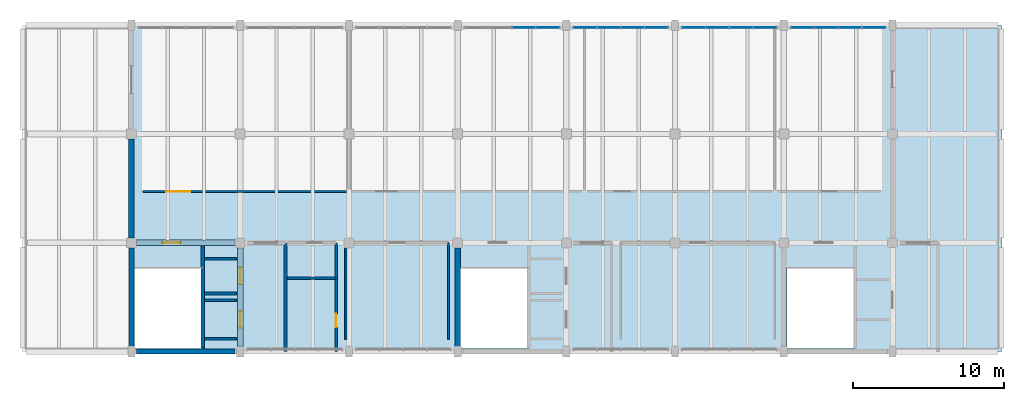
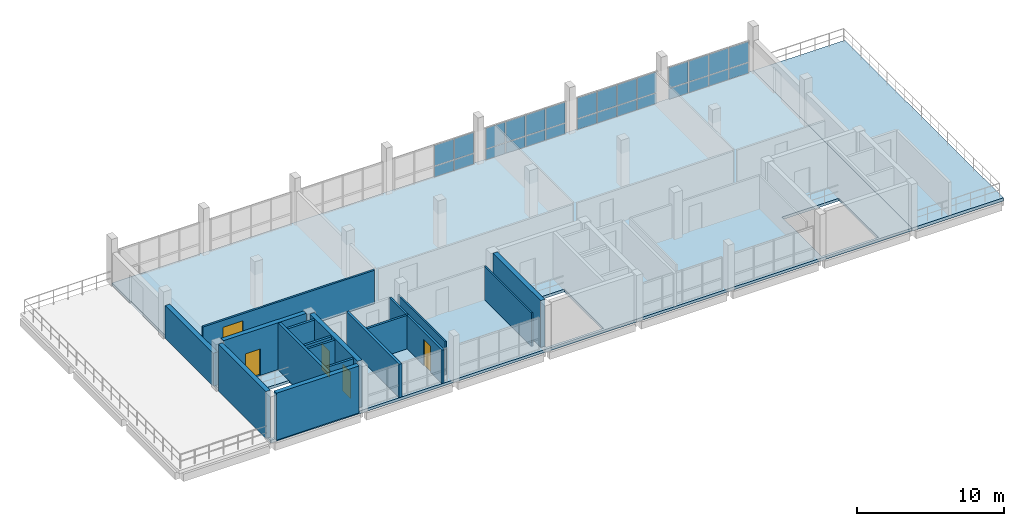
# One storey, part 7 of 10: 28 plates, 17 walls, 5 doors, 2 slabs, 5 openings, 4 elements without a shape of their own.
"""IFC4 building model written with IfcOpenShell, lengths in metres."""

from ifc_helpers import new_model, si_unit, direction, frame, frame_2d, origin, place, context, subcontext, project, spatial, polyline, rectangle, outline, extrude, material, layer, layer_set, type_object, element, fill, aggregate, save


model = new_model("IFC4")

# Units and contexts
model_context = context("Model", 3, precision=1e-05, world=origin(), true_north=direction((0.0, 1.0)))
body_context = subcontext(model_context, "Body", "Model", "MODEL_VIEW")
ifc_project = project(units=[si_unit("LENGTHUNIT", "METRE"), si_unit("AREAUNIT", "SQUARE_METRE"), si_unit("VOLUMEUNIT", "CUBIC_METRE"), si_unit("PLANEANGLEUNIT", "RADIAN"), si_unit("MASSUNIT", "GRAM", prefix="KILO")], contexts=[model_context])

# Site, building, storey
site_placement = place(None, origin())
site = spatial("IfcSite", under=ifc_project, at=site_placement, CompositionType="ELEMENT")
building_placement = place(site_placement, origin())
building = spatial("IfcBuilding", under=site, at=building_placement, Name="Qiaolan Assembly House", CompositionType="ELEMENT")
storey_placement = place(building_placement, frame((0.0, 0.0, 30.300048828125)))
storey = spatial("IfcBuildingStorey", under=building, at=storey_placement, Name="L07", CompositionType="ELEMENT", Elevation=30.300048828125)

# Curtain wall, plates
ifc_material_1 = material(Name="Anodised bronze aluminium", Category="aluminium")
curtain_wall_type = type_object("IfcCurtainWallType", Name="CW-ATTIC-390", PredefinedType="NOTDEFINED", material=ifc_material_1)
curtain_wall_1_placement = place(storey_placement, origin())
curtain_wall_1 = element("IfcCurtainWall", 1, at=curtain_wall_1_placement, inside=storey, type_object=curtain_wall_type, Name="CW-04 NW Attic North glazed colonnade bay 4", PredefinedType="NOTDEFINED")
ifc_material_2 = material(Name="Low-E double insulating glass", Category="glass")
ifc_layer_1 = layer(ifc_material_2, 0.028076171875)
ifc_layer_set_1 = layer_set([ifc_layer_1], Name="Low-E double insulating glass")
plate_type = type_object("IfcPlateType", Name="CW-ATTIC-390-PNL", PredefinedType="CURTAIN_PANEL", material=ifc_layer_set_1)
plate_1_placement = place(storey_placement, frame((71.52099609375, 115.050048828125, 0.054443359375), z_axis=(0.0, 0.0, 1.0), x_axis=(-1.0, 0.0, 0.0)))
plate_1 = element("IfcPlate", 2, at=plate_1_placement, type_object=plate_type, Name="GL-05 glazing panel CW-NW-ATTIC-N-03-1", PredefinedType="CURTAIN_PANEL", context=body_context, shape_type="SweptSolid", body=[
    extrude(rectangle(XDim=1.51708984375, YDim=0.028076171875, at=frame_2d((0.758544921875, 0.0))), origin(), (0.0, 0.0, 1.0), 0.87109375),
])
plate_2_placement = place(storey_placement, frame((71.52099609375, 115.050048828125, 0.974365234375), z_axis=(0.0, 0.0, 1.0), x_axis=(-1.0, 0.0, 0.0)))
plate_2 = element("IfcPlate", 3, at=plate_2_placement, type_object=plate_type, Name="GL-05 glazing panel CW-NW-ATTIC-N-03-2", PredefinedType="CURTAIN_PANEL", context=body_context, shape_type="SweptSolid", body=[
    extrude(rectangle(XDim=1.51708984375, YDim=0.028076171875, at=frame_2d((0.758544921875, 0.0))), origin(), (0.0, 0.0, 1.0), 1.711181640625),
])
plate_3_placement = place(storey_placement, frame((69.946044921875, 115.050048828125, 0.054443359375), z_axis=(0.0, 0.0, 1.0), x_axis=(-1.0, 0.0, 0.0)))
plate_3 = element("IfcPlate", 4, at=plate_3_placement, type_object=plate_type, Name="GL-05 glazing panel CW-NW-ATTIC-N-03-3", PredefinedType="CURTAIN_PANEL", context=body_context, shape_type="SweptSolid", body=[
    extrude(rectangle(XDim=1.51708984375, YDim=0.028076171875, at=frame_2d((0.758544921875, 0.0))), origin(), (0.0, 0.0, 1.0), 0.87109375),
])
plate_4_placement = place(storey_placement, frame((69.946044921875, 115.050048828125, 0.974365234375), z_axis=(0.0, 0.0, 1.0), x_axis=(-1.0, 0.0, 0.0)))
plate_4 = element("IfcPlate", 5, at=plate_4_placement, type_object=plate_type, Name="GL-05 glazing panel CW-NW-ATTIC-N-03-4", PredefinedType="CURTAIN_PANEL", context=body_context, shape_type="SweptSolid", body=[
    extrude(rectangle(XDim=1.51708984375, YDim=0.028076171875, at=frame_2d((0.758544921875, 0.0))), origin(), (0.0, 0.0, 1.0), 1.711181640625),
])
aggregate(curtain_wall_1, [plate_1, plate_2, plate_3, plate_4])

curtain_wall_2_placement = place(storey_placement, origin())
curtain_wall_2 = element("IfcCurtainWall", 6, at=curtain_wall_2_placement, inside=storey, type_object=curtain_wall_type, Name="CW-04 NW Attic North glazed colonnade bay 5", PredefinedType="NOTDEFINED")
plate_5_placement = place(storey_placement, frame((78.720947265625, 115.050048828125, 0.054443359375), z_axis=(0.0, 0.0, 1.0), x_axis=(-1.0, 0.0, 0.0)))
plate_5 = element("IfcPlate", 7, at=plate_5_placement, type_object=plate_type, Name="GL-05 glazing panel CW-NW-ATTIC-N-04-1", PredefinedType="CURTAIN_PANEL", context=body_context, shape_type="SweptSolid", body=[
    extrude(rectangle(XDim=1.516845703125, YDim=0.028076171875, at=frame_2d((0.75830078125, 0.0))), origin(), (0.0, 0.0, 1.0), 0.87109375),
])
plate_6_placement = place(storey_placement, frame((78.720947265625, 115.050048828125, 0.974365234375), z_axis=(0.0, 0.0, 1.0), x_axis=(-1.0, 0.0, 0.0)))
plate_6 = element("IfcPlate", 8, at=plate_6_placement, type_object=plate_type, Name="GL-05 glazing panel CW-NW-ATTIC-N-04-2", PredefinedType="CURTAIN_PANEL", context=body_context, shape_type="SweptSolid", body=[
    extrude(rectangle(XDim=1.516845703125, YDim=0.028076171875, at=frame_2d((0.75830078125, 0.0))), origin(), (0.0, 0.0, 1.0), 1.711181640625),
])
plate_7_placement = place(storey_placement, frame((77.14599609375, 115.050048828125, 0.054443359375), z_axis=(0.0, 0.0, 1.0), x_axis=(-1.0, 0.0, 0.0)))
plate_7 = element("IfcPlate", 9, at=plate_7_placement, type_object=plate_type, Name="GL-05 glazing panel CW-NW-ATTIC-N-04-3", PredefinedType="CURTAIN_PANEL", context=body_context, shape_type="SweptSolid", body=[
    extrude(rectangle(XDim=1.51708984375, YDim=0.028076171875, at=frame_2d((0.758544921875, 0.0))), origin(), (0.0, 0.0, 1.0), 0.87109375),
])
plate_8_placement = place(storey_placement, frame((77.14599609375, 115.050048828125, 0.974365234375), z_axis=(0.0, 0.0, 1.0), x_axis=(-1.0, 0.0, 0.0)))
plate_8 = element("IfcPlate", 10, at=plate_8_placement, type_object=plate_type, Name="GL-05 glazing panel CW-NW-ATTIC-N-04-4", PredefinedType="CURTAIN_PANEL", context=body_context, shape_type="SweptSolid", body=[
    extrude(rectangle(XDim=1.51708984375, YDim=0.028076171875, at=frame_2d((0.758544921875, 0.0))), origin(), (0.0, 0.0, 1.0), 1.711181640625),
])
plate_9_placement = place(storey_placement, frame((75.571044921875, 115.050048828125, 0.054443359375), z_axis=(0.0, 0.0, 1.0), x_axis=(-1.0, 0.0, 0.0)))
plate_9 = element("IfcPlate", 11, at=plate_9_placement, type_object=plate_type, Name="GL-05 glazing panel CW-NW-ATTIC-N-04-5", PredefinedType="CURTAIN_PANEL", context=body_context, shape_type="SweptSolid", body=[
    extrude(rectangle(XDim=1.51708984375, YDim=0.028076171875, at=frame_2d((0.758544921875, 0.0))), origin(), (0.0, 0.0, 1.0), 0.87109375),
])
plate_10_placement = place(storey_placement, frame((75.571044921875, 115.050048828125, 0.974365234375), z_axis=(0.0, 0.0, 1.0), x_axis=(-1.0, 0.0, 0.0)))
plate_10 = element("IfcPlate", 12, at=plate_10_placement, type_object=plate_type, Name="GL-05 glazing panel CW-NW-ATTIC-N-04-6", PredefinedType="CURTAIN_PANEL", context=body_context, shape_type="SweptSolid", body=[
    extrude(rectangle(XDim=1.51708984375, YDim=0.028076171875, at=frame_2d((0.758544921875, 0.0))), origin(), (0.0, 0.0, 1.0), 1.711181640625),
])
plate_11_placement = place(storey_placement, frame((73.99609375, 115.050048828125, 0.054443359375), z_axis=(0.0, 0.0, 1.0), x_axis=(-1.0, 0.0, 0.0)))
plate_11 = element("IfcPlate", 13, at=plate_11_placement, type_object=plate_type, Name="GL-05 glazing panel CW-NW-ATTIC-N-04-7", PredefinedType="CURTAIN_PANEL", context=body_context, shape_type="SweptSolid", body=[
    extrude(rectangle(XDim=1.51708984375, YDim=0.028076171875, at=frame_2d((0.758544921875, 0.0))), origin(), (0.0, 0.0, 1.0), 0.87109375),
])
plate_12_placement = place(storey_placement, frame((73.99609375, 115.050048828125, 0.974365234375), z_axis=(0.0, 0.0, 1.0), x_axis=(-1.0, 0.0, 0.0)))
plate_12 = element("IfcPlate", 14, at=plate_12_placement, type_object=plate_type, Name="GL-05 glazing panel CW-NW-ATTIC-N-04-8", PredefinedType="CURTAIN_PANEL", context=body_context, shape_type="SweptSolid", body=[
    extrude(rectangle(XDim=1.51708984375, YDim=0.028076171875, at=frame_2d((0.758544921875, 0.0))), origin(), (0.0, 0.0, 1.0), 1.711181640625),
])
aggregate(curtain_wall_2, [plate_5, plate_6, plate_7, plate_8, plate_9, plate_10, plate_11, plate_12])

curtain_wall_3_placement = place(storey_placement, origin())
curtain_wall_3 = element("IfcCurtainWall", 15, at=curtain_wall_3_placement, inside=storey, type_object=curtain_wall_type, Name="CW-04 NW Attic North glazed colonnade bay 6", PredefinedType="NOTDEFINED")
plate_13_placement = place(storey_placement, frame((85.9208984375, 115.050048828125, 0.054443359375), z_axis=(0.0, 0.0, 1.0), x_axis=(-1.0, 0.0, 0.0)))
plate_13 = element("IfcPlate", 16, at=plate_13_placement, type_object=plate_type, Name="GL-05 glazing panel CW-NW-ATTIC-N-05-1", PredefinedType="CURTAIN_PANEL", context=body_context, shape_type="SweptSolid", body=[
    extrude(rectangle(XDim=1.516845703125, YDim=0.028076171875, at=frame_2d((0.75830078125, 0.0))), origin(), (0.0, 0.0, 1.0), 0.87109375),
])
plate_14_placement = place(storey_placement, frame((85.9208984375, 115.050048828125, 0.974365234375), z_axis=(0.0, 0.0, 1.0), x_axis=(-1.0, 0.0, 0.0)))
plate_14 = element("IfcPlate", 17, at=plate_14_placement, type_object=plate_type, Name="GL-05 glazing panel CW-NW-ATTIC-N-05-2", PredefinedType="CURTAIN_PANEL", context=body_context, shape_type="SweptSolid", body=[
    extrude(rectangle(XDim=1.516845703125, YDim=0.028076171875, at=frame_2d((0.75830078125, 0.0))), origin(), (0.0, 0.0, 1.0), 1.711181640625),
])
plate_15_placement = place(storey_placement, frame((84.345947265625, 115.050048828125, 0.054443359375), z_axis=(0.0, 0.0, 1.0), x_axis=(-1.0, 0.0, 0.0)))
plate_15 = element("IfcPlate", 18, at=plate_15_placement, type_object=plate_type, Name="GL-05 glazing panel CW-NW-ATTIC-N-05-3", PredefinedType="CURTAIN_PANEL", context=body_context, shape_type="SweptSolid", body=[
    extrude(rectangle(XDim=1.516845703125, YDim=0.028076171875, at=frame_2d((0.75830078125, 0.0))), origin(), (0.0, 0.0, 1.0), 0.87109375),
])
plate_16_placement = place(storey_placement, frame((84.345947265625, 115.050048828125, 0.974365234375), z_axis=(0.0, 0.0, 1.0), x_axis=(-1.0, 0.0, 0.0)))
plate_16 = element("IfcPlate", 19, at=plate_16_placement, type_object=plate_type, Name="GL-05 glazing panel CW-NW-ATTIC-N-05-4", PredefinedType="CURTAIN_PANEL", context=body_context, shape_type="SweptSolid", body=[
    extrude(rectangle(XDim=1.516845703125, YDim=0.028076171875, at=frame_2d((0.75830078125, 0.0))), origin(), (0.0, 0.0, 1.0), 1.711181640625),
])
plate_17_placement = place(storey_placement, frame((82.77099609375, 115.050048828125, 0.054443359375), z_axis=(0.0, 0.0, 1.0), x_axis=(-1.0, 0.0, 0.0)))
plate_17 = element("IfcPlate", 20, at=plate_17_placement, type_object=plate_type, Name="GL-05 glazing panel CW-NW-ATTIC-N-05-5", PredefinedType="CURTAIN_PANEL", context=body_context, shape_type="SweptSolid", body=[
    extrude(rectangle(XDim=1.51708984375, YDim=0.028076171875, at=frame_2d((0.758544921875, 0.0))), origin(), (0.0, 0.0, 1.0), 0.87109375),
])
plate_18_placement = place(storey_placement, frame((82.77099609375, 115.050048828125, 0.974365234375), z_axis=(0.0, 0.0, 1.0), x_axis=(-1.0, 0.0, 0.0)))
plate_18 = element("IfcPlate", 21, at=plate_18_placement, type_object=plate_type, Name="GL-05 glazing panel CW-NW-ATTIC-N-05-6", PredefinedType="CURTAIN_PANEL", context=body_context, shape_type="SweptSolid", body=[
    extrude(rectangle(XDim=1.51708984375, YDim=0.028076171875, at=frame_2d((0.758544921875, 0.0))), origin(), (0.0, 0.0, 1.0), 1.711181640625),
])
plate_19_placement = place(storey_placement, frame((81.196044921875, 115.050048828125, 0.054443359375), z_axis=(0.0, 0.0, 1.0), x_axis=(-1.0, 0.0, 0.0)))
plate_19 = element("IfcPlate", 22, at=plate_19_placement, type_object=plate_type, Name="GL-05 glazing panel CW-NW-ATTIC-N-05-7", PredefinedType="CURTAIN_PANEL", context=body_context, shape_type="SweptSolid", body=[
    extrude(rectangle(XDim=1.51708984375, YDim=0.028076171875, at=frame_2d((0.758544921875, 0.0))), origin(), (0.0, 0.0, 1.0), 0.87109375),
])
plate_20_placement = place(storey_placement, frame((81.196044921875, 115.050048828125, 0.974365234375), z_axis=(0.0, 0.0, 1.0), x_axis=(-1.0, 0.0, 0.0)))
plate_20 = element("IfcPlate", 23, at=plate_20_placement, type_object=plate_type, Name="GL-05 glazing panel CW-NW-ATTIC-N-05-8", PredefinedType="CURTAIN_PANEL", context=body_context, shape_type="SweptSolid", body=[
    extrude(rectangle(XDim=1.51708984375, YDim=0.028076171875, at=frame_2d((0.758544921875, 0.0))), origin(), (0.0, 0.0, 1.0), 1.711181640625),
])
aggregate(curtain_wall_3, [plate_13, plate_14, plate_15, plate_16, plate_17, plate_18, plate_19, plate_20])

curtain_wall_4_placement = place(storey_placement, origin())
curtain_wall_4 = element("IfcCurtainWall", 24, at=curtain_wall_4_placement, inside=storey, type_object=curtain_wall_type, Name="CW-04 NW Attic North glazed colonnade bay 7", PredefinedType="NOTDEFINED")
plate_21_placement = place(storey_placement, frame((93.12109375, 115.050048828125, 0.054443359375), z_axis=(0.0, 0.0, 1.0), x_axis=(-1.0, 0.0, 0.0)))
plate_21 = element("IfcPlate", 25, at=plate_21_placement, type_object=plate_type, Name="GL-05 glazing panel CW-NW-ATTIC-N-06-1", PredefinedType="CURTAIN_PANEL", context=body_context, shape_type="SweptSolid", body=[
    extrude(rectangle(XDim=1.51708984375, YDim=0.028076171875, at=frame_2d((0.758544921875, 0.0))), origin(), (0.0, 0.0, 1.0), 0.87109375),
])
plate_22_placement = place(storey_placement, frame((93.12109375, 115.050048828125, 0.974365234375), z_axis=(0.0, 0.0, 1.0), x_axis=(-1.0, 0.0, 0.0)))
plate_22 = element("IfcPlate", 26, at=plate_22_placement, type_object=plate_type, Name="GL-05 glazing panel CW-NW-ATTIC-N-06-2", PredefinedType="CURTAIN_PANEL", context=body_context, shape_type="SweptSolid", body=[
    extrude(rectangle(XDim=1.51708984375, YDim=0.028076171875, at=frame_2d((0.758544921875, 0.0))), origin(), (0.0, 0.0, 1.0), 1.711181640625),
])
plate_23_placement = place(storey_placement, frame((91.5458984375, 115.050048828125, 0.054443359375), z_axis=(0.0, 0.0, 1.0), x_axis=(-1.0, 0.0, 0.0)))
plate_23 = element("IfcPlate", 27, at=plate_23_placement, type_object=plate_type, Name="GL-05 glazing panel CW-NW-ATTIC-N-06-3", PredefinedType="CURTAIN_PANEL", context=body_context, shape_type="SweptSolid", body=[
    extrude(rectangle(XDim=1.516845703125, YDim=0.028076171875, at=frame_2d((0.75830078125, 0.0))), origin(), (0.0, 0.0, 1.0), 0.87109375),
])
plate_24_placement = place(storey_placement, frame((91.5458984375, 115.050048828125, 0.974365234375), z_axis=(0.0, 0.0, 1.0), x_axis=(-1.0, 0.0, 0.0)))
plate_24 = element("IfcPlate", 28, at=plate_24_placement, type_object=plate_type, Name="GL-05 glazing panel CW-NW-ATTIC-N-06-4", PredefinedType="CURTAIN_PANEL", context=body_context, shape_type="SweptSolid", body=[
    extrude(rectangle(XDim=1.516845703125, YDim=0.028076171875, at=frame_2d((0.75830078125, 0.0))), origin(), (0.0, 0.0, 1.0), 1.711181640625),
])
plate_25_placement = place(storey_placement, frame((89.970947265625, 115.050048828125, 0.054443359375), z_axis=(0.0, 0.0, 1.0), x_axis=(-1.0, 0.0, 0.0)))
plate_25 = element("IfcPlate", 29, at=plate_25_placement, type_object=plate_type, Name="GL-05 glazing panel CW-NW-ATTIC-N-06-5", PredefinedType="CURTAIN_PANEL", context=body_context, shape_type="SweptSolid", body=[
    extrude(rectangle(XDim=1.516845703125, YDim=0.028076171875, at=frame_2d((0.75830078125, 0.0))), origin(), (0.0, 0.0, 1.0), 0.87109375),
])
plate_26_placement = place(storey_placement, frame((89.970947265625, 115.050048828125, 0.974365234375), z_axis=(0.0, 0.0, 1.0), x_axis=(-1.0, 0.0, 0.0)))
plate_26 = element("IfcPlate", 30, at=plate_26_placement, type_object=plate_type, Name="GL-05 glazing panel CW-NW-ATTIC-N-06-6", PredefinedType="CURTAIN_PANEL", context=body_context, shape_type="SweptSolid", body=[
    extrude(rectangle(XDim=1.516845703125, YDim=0.028076171875, at=frame_2d((0.75830078125, 0.0))), origin(), (0.0, 0.0, 1.0), 1.711181640625),
])
plate_27_placement = place(storey_placement, frame((88.39599609375, 115.050048828125, 0.054443359375), z_axis=(0.0, 0.0, 1.0), x_axis=(-1.0, 0.0, 0.0)))
plate_27 = element("IfcPlate", 31, at=plate_27_placement, type_object=plate_type, Name="GL-05 glazing panel CW-NW-ATTIC-N-06-7", PredefinedType="CURTAIN_PANEL", context=body_context, shape_type="SweptSolid", body=[
    extrude(rectangle(XDim=1.51708984375, YDim=0.028076171875, at=frame_2d((0.758544921875, 0.0))), origin(), (0.0, 0.0, 1.0), 0.87109375),
])
plate_28_placement = place(storey_placement, frame((88.39599609375, 115.050048828125, 0.974365234375), z_axis=(0.0, 0.0, 1.0), x_axis=(-1.0, 0.0, 0.0)))
plate_28 = element("IfcPlate", 32, at=plate_28_placement, type_object=plate_type, Name="GL-05 glazing panel CW-NW-ATTIC-N-06-8", PredefinedType="CURTAIN_PANEL", context=body_context, shape_type="SweptSolid", body=[
    extrude(rectangle(XDim=1.51708984375, YDim=0.028076171875, at=frame_2d((0.758544921875, 0.0))), origin(), (0.0, 0.0, 1.0), 1.711181640625),
])
aggregate(curtain_wall_4, [plate_21, plate_22, plate_23, plate_24, plate_25, plate_26, plate_27, plate_28])

# Slabs
ifc_material_3 = material(Name="Concrete C40/50", Category="concrete")
ifc_layer_2 = layer(ifc_material_3, 0.22998046875)
ifc_layer_set_2 = layer_set([ifc_layer_2], Name="Concrete C40/50")
slab_type_1 = type_object("IfcSlabType", Name="SLB-NW-FLOOR-230", PredefinedType="FLOOR", material=ifc_layer_set_2)
slab_1_placement = place(storey_placement, frame((0.0, 0.0, -0.22998046875)))
element("IfcSlab", 33, at=slab_1_placement, inside=storey, type_object=slab_type_1, Name="FS-06 North-West Wing Attic Slab L07", PredefinedType="FLOOR", context=body_context, shape_type="SweptSolid", body=[
    extrude(outline(polyline([(43.199951171875, 93.60009765625), (93.60009765625, 93.60009765625), (93.60009765625, 115.199951171875), (43.199951171875, 115.199951171875), (43.199951171875, 93.60009765625)]), holes=[polyline([(43.39990234375, 93.800048828125), (43.39990234375, 99.14990234375), (47.8798828125, 99.14990234375), (47.8798828125, 93.800048828125), (43.39990234375, 93.800048828125)]), polyline([(65.0, 93.800048828125), (65.0, 99.14990234375), (69.47998046875, 99.14990234375), (69.47998046875, 93.800048828125), (65.0, 93.800048828125)]), polyline([(86.60009765625, 93.800048828125), (86.60009765625, 99.14990234375), (91.080078125, 99.14990234375), (91.080078125, 93.800048828125), (86.60009765625, 93.800048828125)])]), origin(), (0.0, 0.0, 1.0), 0.22998046875),
])
ifc_layer_3 = layer(ifc_material_3, 0.260009765625)
ifc_layer_set_3 = layer_set([ifc_layer_3], Name="Concrete C40/50")
slab_type_2 = type_object("IfcSlabType", Name="SLB-TERR-260", PredefinedType="ROOF", material=ifc_layer_set_3)
slab_2_placement = place(storey_placement, frame((0.0, 0.0, -0.260009765625)))
element("IfcSlab", 34, at=slab_2_placement, inside=storey, type_object=slab_type_2, Name="FS-09 L07 Attic End Terrace Slab E", PredefinedType="ROOF", context=body_context, shape_type="SweptSolid", body=[
    extrude(outline(polyline([(93.60009765625, 93.60009765625), (100.800048828125, 93.60009765625), (100.800048828125, 115.199951171875), (93.60009765625, 115.199951171875), (93.60009765625, 93.60009765625)])), origin(), (0.0, 0.0, 1.0), 0.260009765625),
])

# Wall
ifc_layer_4 = layer(ifc_material_3, 0.35009765625)
ifc_layer_set_4 = layer_set([ifc_layer_4], Name="Concrete C40/50")
wall_type_1 = type_object("IfcWallType", Name="WAL-CORE-350", PredefinedType="SHEAR", material=ifc_layer_set_4)
wall_1_placement = place(storey_placement, frame((43.550048828125, 93.60009765625, 0.0), z_axis=(0.0, 0.0, 1.0), x_axis=(1.0, 0.0, 0.0)))
element("IfcWall", 35, at=wall_1_placement, inside=storey, type_object=wall_type_1, Name="CW-350 shear core wall CORE-A S L07", PredefinedType="SHEAR", context=body_context, shape_type="SweptSolid", body=[
    extrude(rectangle(XDim=6.5, YDim=0.35009765625, at=frame_2d((3.25, 0.0))), origin(), (0.0, 0.0, 1.0), 3.89990234375),
])

# Wall, openings, doors
wall_2_placement = place(storey_placement, frame((50.39990234375, 93.949951171875, 0.0), z_axis=(0.0, 0.0, 1.0), x_axis=(0.0, 1.0, 0.0)))
wall_2 = element("IfcWall", 36, at=wall_2_placement, inside=storey, type_object=wall_type_1, Name="CW-350 shear core wall CORE-A E L07", PredefinedType="SHEAR", context=body_context, shape_type="SweptSolid", body=[
    extrude(rectangle(XDim=6.5, YDim=0.35009765625, at=frame_2d((3.25, 0.0))), origin(), (0.0, 0.0, 1.0), 3.89990234375),
])
opening_1_placement = place(wall_2_placement, frame((1.22509765625, 0.0, 0.0)))
opening_1 = element("IfcOpeningElement", 37, at=opening_1_placement, cuts=wall_2, Name="Opening LD-009", PredefinedType="OPENING", context=body_context, shape_type="SweptSolid", body=[
    extrude(rectangle(XDim=1.10009765625, YDim=2.199951171875, at=frame_2d((0.550048828125, 1.10009765625))), frame((0.0, 0.18505859375, 0.0), z_axis=(0.0, -1.0, 0.0), x_axis=(1.0, 0.0, 0.0)), (0.0, 0.0, 1.0), 0.3701171875),
])
opening_2_placement = place(wall_2_placement, frame((4.10009765625, 0.0, 0.0)))
opening_2 = element("IfcOpeningElement", 38, at=opening_2_placement, cuts=wall_2, Name="Opening LD-018", PredefinedType="OPENING", context=body_context, shape_type="SweptSolid", body=[
    extrude(rectangle(XDim=1.10009765625, YDim=2.199951171875, at=frame_2d((0.550048828125, 1.10009765625))), frame((0.0, 0.18505859375, 0.0), z_axis=(0.0, -1.0, 0.0), x_axis=(1.0, 0.0, 0.0)), (0.0, 0.0, 1.0), 0.3701171875),
])
door_type_1 = type_object("IfcDoorType", Name="DOR-LIFT-LD1100", OperationType="SLIDING_TO_LEFT", PredefinedType="DOOR", material=ifc_material_1)
door_1_placement = place(opening_1_placement, origin())
door_1 = element("IfcDoor", 39, at=door_1_placement, inside=storey, type_object=door_type_1, Name="Lift landing door LD-009 (LF-01 L07)", OperationType="SLIDING_TO_LEFT", OverallHeight=2.199951171875, OverallWidth=1.10009765625, PredefinedType="DOOR", context=body_context, shape_type="SweptSolid", body=[
    extrude(rectangle(XDim=1.10009765625, YDim=2.199951171875, at=frame_2d((0.550048828125, 1.10009765625))), frame((0.0, 0.02490234375, 0.0), z_axis=(0.0, -1.0, 0.0), x_axis=(1.0, 0.0, 0.0)), (0.0, 0.0, 1.0), 0.050048828125),
])
fill(opening_1, door_1)
door_2_placement = place(opening_2_placement, origin())
door_2 = element("IfcDoor", 40, at=door_2_placement, inside=storey, type_object=door_type_1, Name="Lift landing door LD-018 (LF-02 L07)", OperationType="SLIDING_TO_LEFT", OverallHeight=2.199951171875, OverallWidth=1.10009765625, PredefinedType="DOOR", context=body_context, shape_type="SweptSolid", body=[
    extrude(rectangle(XDim=1.10009765625, YDim=2.199951171875, at=frame_2d((0.550048828125, 1.10009765625))), frame((0.0, 0.02490234375, 0.0), z_axis=(0.0, -1.0, 0.0), x_axis=(1.0, 0.0, 0.0)), (0.0, 0.0, 1.0), 0.050048828125),
])
fill(opening_2, door_2)

# Wall, opening, door
wall_3_placement = place(storey_placement, frame((50.050048828125, 100.800048828125, 0.0), z_axis=(0.0, 0.0, 1.0), x_axis=(-1.0, 0.0, 0.0)))
wall_3 = element("IfcWall", 41, at=wall_3_placement, inside=storey, type_object=wall_type_1, Name="CW-350 shear core wall CORE-A N L07", PredefinedType="SHEAR", context=body_context, shape_type="SweptSolid", body=[
    extrude(rectangle(XDim=6.5, YDim=0.35009765625, at=frame_2d((3.25, 0.0))), origin(), (0.0, 0.0, 1.0), 3.89990234375),
])
opening_3_placement = place(wall_3_placement, frame((3.60009765625, 0.0, 0.0)))
opening_3 = element("IfcOpeningElement", 42, at=opening_3_placement, cuts=wall_3, Name="Opening FD-031", PredefinedType="OPENING", context=body_context, shape_type="SweptSolid", body=[
    extrude(rectangle(XDim=1.199951171875, YDim=2.199951171875, at=frame_2d((0.60009765625, 1.10009765625))), frame((0.0, 0.18505859375, 0.0), z_axis=(0.0, -1.0, 0.0), x_axis=(1.0, 0.0, 0.0)), (0.0, 0.0, 1.0), 0.3701171875),
])
ifc_material_4 = material(Name="Steel Q355B", Category="steel")
door_type_2 = type_object("IfcDoorType", Name="DOR-FIRE-FD90-1200", OperationType="NOTDEFINED", PredefinedType="DOOR", material=ifc_material_4)
door_3_placement = place(opening_3_placement, frame((1.199951171875, 0.0, 0.0), z_axis=(0.0, 0.0, 1.0), x_axis=(-1.0, 0.0, 0.0)))
door_3 = element("IfcDoor", 43, at=door_3_placement, inside=storey, type_object=door_type_2, Name="Stairwell fire door FD-031 (CORE-A L07)", OperationType="SINGLE_SWING_RIGHT", OverallHeight=2.199951171875, OverallWidth=1.199951171875, PredefinedType="DOOR", context=body_context, shape_type="SweptSolid", body=[
    extrude(rectangle(XDim=1.199951171875, YDim=2.199951171875, at=frame_2d((0.60009765625, 1.10009765625))), frame((0.0, 0.02490234375, 0.0), z_axis=(0.0, -1.0, 0.0), x_axis=(1.0, 0.0, 0.0)), (0.0, 0.0, 1.0), 0.050048828125),
])
fill(opening_3, door_3)

# Walls
for number, where, z_axis, x_axis, name in (
    (44, (43.199951171875, 100.449951171875, 0.0), (0.0, 0.0, 1.0), (0.0, -1.0, 0.0), "CW-350 shear core wall CORE-A W L07"),
    (45, (64.800048828125, 100.449951171875, 0.0), (0.0, 0.0, 1.0), (0.0, -1.0, 0.0), "CW-350 shear core wall CORE-B W L07"),
):
    element("IfcWall", number, at=place(storey_placement, frame(where, z_axis=z_axis, x_axis=x_axis)), inside=storey, type_object=wall_type_1, Name=name, PredefinedType="SHEAR", context=body_context, shape_type="SweptSolid", body=[
        extrude(rectangle(XDim=6.5, YDim=0.35009765625, at=frame_2d((3.25, 0.0))), origin(), (0.0, 0.0, 1.0), 3.89990234375),
    ])
ifc_material_5 = material(Name="Honed pale limestone", Category="masonry")
ifc_layer_5 = layer(ifc_material_5, 0.360107421875)
ifc_layer_set_5 = layer_set([ifc_layer_5], Name="Honed pale limestone")
wall_type_2 = type_object("IfcWallType", Name="WAL-EXT-LIMESTONE-360", PredefinedType="SOLIDWALL", material=ifc_layer_set_5)
wall_4_placement = place(storey_placement, frame((43.199951171875, 101.123046875, 0.0), z_axis=(0.0, 0.0, 1.0), x_axis=(0.0, 1.0, 0.0)))
element("IfcWall", 46, at=wall_4_placement, inside=storey, type_object=wall_type_2, Name="L07 Attic West terrace wall 2", PredefinedType="SOLIDWALL", context=body_context, shape_type="SweptSolid", body=[
    extrude(rectangle(XDim=6.553955078125, YDim=0.360107421875, at=frame_2d((3.27685546875, 0.0))), origin(), (0.0, 0.0, 1.0), 2.739990234375),
])
ifc_material_6 = material(Name="Concrete C35/45", Category="concrete")
ifc_layer_6 = layer(ifc_material_6, 0.199951171875)
ifc_layer_set_6 = layer_set([ifc_layer_6], Name="Concrete C35/45")
wall_type_3 = type_object("IfcWallType", Name="WAL-LOBBY-200", PredefinedType="PARTITIONING", material=ifc_layer_set_6)
wall_5_placement = place(storey_placement, frame((53.39990234375, 93.60009765625, 0.0), z_axis=(0.0, 0.0, 1.0), x_axis=(0.0, 1.0, 0.0)))
element("IfcWall", 47, at=wall_5_placement, inside=storey, type_object=wall_type_3, Name="Firefighting lift lobby east wall CORE-A L07", PredefinedType="PARTITIONING", context=body_context, shape_type="SweptSolid", body=[
    extrude(rectangle(XDim=7.199951171875, YDim=0.199951171875, at=frame_2d((3.60009765625, 0.0))), origin(), (0.0, 0.0, 1.0), 2.780029296875),
])
ifc_material_7 = material(Name="Gypsum plasterboard partition")
ifc_layer_7 = layer(ifc_material_7, 0.1201171875)
ifc_layer_set_7 = layer_set([ifc_layer_7], Name="Gypsum plasterboard partition")
wall_type_4 = type_object("IfcWallType", Name="WAL-PART-120", PredefinedType="PARTITIONING", material=ifc_layer_set_7)
for number, where, z_axis, x_axis, name in (
    (48, (57.39990234375, 94.39990234375, 0.0), (0.0, 0.0, 1.0), (0.0, 1.0, 0.0), "Presidium Standing Committee Caucus Room west wall"),
    (49, (64.199951171875, 100.800048828125, 0.0), (0.0, 0.0, 1.0), (0.0, -1.0, 0.0), "Presidium Standing Committee Caucus Room east wall"),
):
    element("IfcWall", number, at=place(storey_placement, frame(where, z_axis=z_axis, x_axis=x_axis)), inside=storey, type_object=wall_type_4, Name=name, PredefinedType="PARTITIONING", context=body_context, shape_type="SweptSolid", body=[
        extrude(rectangle(XDim=6.400146484375, YDim=0.1201171875, at=frame_2d((3.2001953125, 0.0))), origin(), (0.0, 0.0, 1.0), 2.780029296875),
    ])

# Wall, opening, door
ifc_layer_8 = layer(ifc_material_7, 0.14990234375)
ifc_layer_set_8 = layer_set([ifc_layer_8], Name="Gypsum plasterboard partition")
wall_type_5 = type_object("IfcWallType", Name="WAL-PART-150", PredefinedType="PARTITIONING", material=ifc_layer_set_8)
wall_6_placement = place(storey_placement, frame((43.949951171875, 104.199951171875, 0.0), z_axis=(0.0, 0.0, 1.0), x_axis=(1.0, 0.0, 0.0)))
wall_6 = element("IfcWall", 50, at=wall_6_placement, inside=storey, type_object=wall_type_5, Name="Mayor & Council Executive Reception Hall corridor wall", PredefinedType="PARTITIONING", context=body_context, shape_type="SweptSolid", body=[
    extrude(rectangle(XDim=13.5, YDim=0.14990234375, at=frame_2d((6.75, 0.0))), origin(), (0.0, 0.0, 1.0), 2.780029296875),
])
opening_4_placement = place(wall_6_placement, frame((1.550048828125, 0.0, 0.0)))
opening_4 = element("IfcOpeningElement", 51, at=opening_4_placement, cuts=wall_6, Name="Opening ND-229", PredefinedType="OPENING", context=body_context, shape_type="SweptSolid", body=[
    extrude(rectangle(XDim=1.60009765625, YDim=2.199951171875, at=frame_2d((0.800048828125, 1.10009765625))), frame((0.0, 0.0849609375, 0.0), z_axis=(0.0, -1.0, 0.0), x_axis=(1.0, 0.0, 0.0)), (0.0, 0.0, 1.0), 0.169921875),
])
ifc_material_8 = material(Name="Acoustic oak panelling")
door_type_3 = type_object("IfcDoorType", Name="DOR-COMM-DBL-1600", OperationType="DOUBLE_DOOR_SINGLE_SWING", PredefinedType="DOOR", material=ifc_material_8)
door_4_placement = place(opening_4_placement, origin())
door_4 = element("IfcDoor", 52, at=door_4_placement, inside=storey, type_object=door_type_3, Name="Mayor & Council Executive Reception Hall door ND-229", OperationType="DOUBLE_DOOR_SINGLE_SWING", OverallHeight=2.199951171875, OverallWidth=1.60009765625, PredefinedType="DOOR", context=body_context, shape_type="SweptSolid", body=[
    extrude(rectangle(XDim=1.60009765625, YDim=2.199951171875, at=frame_2d((0.800048828125, 1.10009765625))), frame((0.0, 0.02490234375, 0.0), z_axis=(0.0, -1.0, 0.0), x_axis=(1.0, 0.0, 0.0)), (0.0, 0.0, 1.0), 0.050048828125),
])
fill(opening_4, door_4)

# Walls
ifc_layer_9 = layer(ifc_material_6, 0.18505859375)
ifc_layer_set_9 = layer_set([ifc_layer_9], Name="Concrete C35/45")
wall_type_6 = type_object("IfcWallType", Name="WAL-SHAFT-200", PredefinedType="PARTITIONING", material=ifc_layer_set_9)
for number, where, z_axis, x_axis, name in (
    (53, (48.050048828125, 94.449951171875, 0.0), (0.0, 0.0, 1.0), (1.0, 0.0, 0.0), "SW-200 lift shaft wall LF-01 L07 DIVS"),
    (54, (48.050048828125, 97.0, 0.0), (0.0, 0.0, 1.0), (1.0, 0.0, 0.0), "SW-200 lift shaft wall LF-01 L07 DIVN"),
    (55, (48.050048828125, 97.449951171875, 0.0), (0.0, 0.0, 1.0), (1.0, 0.0, 0.0), "SW-200 lift shaft wall LF-02 L07 DIVS"),
    (56, (48.050048828125, 99.75, 0.0), (0.0, 0.0, 1.0), (1.0, 0.0, 0.0), "SW-200 lift shaft wall LF-02 L07 DIVN"),
):
    element("IfcWall", number, at=place(storey_placement, frame(where, z_axis=z_axis, x_axis=x_axis)), inside=storey, type_object=wall_type_6, Name=name, PredefinedType="PARTITIONING", context=body_context, shape_type="SweptSolid", body=[
        extrude(rectangle(XDim=2.099853515625, YDim=0.18505859375, at=frame_2d((1.0498046875, 0.0))), origin(), (0.0, 0.0, 1.0), 3.89990234375),
    ])
ifc_layer_10 = layer(ifc_material_3, 0.22509765625)
ifc_layer_set_10 = layer_set([ifc_layer_10], Name="Concrete C40/50")
wall_type_7 = type_object("IfcWallType", Name="WAL-STAIR-DIV-225", PredefinedType="SHEAR", material=ifc_layer_set_10)
wall_7_placement = place(storey_placement, frame((47.919921875, 93.820068359375, 0.0), z_axis=(0.0, 0.0, 1.0), x_axis=(0.0, 1.0, 0.0)))
element("IfcWall", 57, at=wall_7_placement, inside=storey, type_object=wall_type_7, Name="SDW-225 stairwell structural spine wall CORE-A L07", PredefinedType="SHEAR", context=body_context, shape_type="SweptSolid", body=[
    extrude(rectangle(XDim=6.760009765625, YDim=0.22509765625, at=frame_2d((3.3798828125, 0.0))), origin(), (0.0, 0.0, 1.0), 3.89990234375),
])

# Wall, opening, door
ifc_material_9 = material(Name="Concrete C30/37", Category="concrete")
ifc_layer_11 = layer(ifc_material_9, 0.1650390625)
ifc_layer_set_11 = layer_set([ifc_layer_11], Name="Concrete C30/37")
wall_type_8 = type_object("IfcWallType", Name="WAL-WET-150", PredefinedType="PARTITIONING", material=ifc_layer_set_11)
wall_8_placement = place(storey_placement, frame((56.75, 93.60009765625, 0.0), z_axis=(0.0, 0.0, 1.0), x_axis=(0.0, 1.0, 0.0)))
wall_8 = element("IfcWall", 58, at=wall_8_placement, inside=storey, type_object=wall_type_8, Name="Public WC east wall CORE-A L07", PredefinedType="PARTITIONING", context=body_context, shape_type="SweptSolid", body=[
    extrude(rectangle(XDim=7.199951171875, YDim=0.1650390625, at=frame_2d((3.60009765625, 0.0))), origin(), (0.0, 0.0, 1.0), 2.780029296875),
])
opening_5_placement = place(wall_8_placement, frame((1.60009765625, 0.0, 0.0)))
opening_5 = element("IfcOpeningElement", 59, at=opening_5_placement, cuts=wall_8, Name="Opening WD-033", PredefinedType="OPENING", context=body_context, shape_type="SweptSolid", body=[
    extrude(rectangle(XDim=0.89990234375, YDim=2.14990234375, at=frame_2d((0.449951171875, 1.074951171875))), frame((0.0, 0.092529296875, 0.0), z_axis=(0.0, -1.0, 0.0), x_axis=(1.0, 0.0, 0.0)), (0.0, 0.0, 1.0), 0.18505859375),
])
door_type_4 = type_object("IfcDoorType", Name="DOR-WC-900", OperationType="NOTDEFINED", PredefinedType="DOOR", material=ifc_material_8)
door_5_placement = place(opening_5_placement, origin())
door_5 = element("IfcDoor", 60, at=door_5_placement, inside=storey, type_object=door_type_4, Name="Public Restroom door WD-033", OperationType="SINGLE_SWING_LEFT", OverallHeight=2.14990234375, OverallWidth=0.89990234375, PredefinedType="DOOR", context=body_context, shape_type="SweptSolid", body=[
    extrude(rectangle(XDim=0.89990234375, YDim=2.14990234375, at=frame_2d((0.449951171875, 1.074951171875))), frame((0.0, 0.02490234375, 0.0), z_axis=(0.0, -1.0, 0.0), x_axis=(1.0, 0.0, 0.0)), (0.0, 0.0, 1.0), 0.050048828125),
])
fill(opening_5, door_5)

# Wall
wall_9_placement = place(storey_placement, frame((53.550048828125, 98.449951171875, 0.0), z_axis=(0.0, 0.0, 1.0), x_axis=(1.0, 0.0, 0.0)))
element("IfcWall", 61, at=wall_9_placement, inside=storey, type_object=wall_type_8, Name="WC divider wall CORE-A L07", PredefinedType="PARTITIONING", context=body_context, shape_type="SweptSolid", body=[
    extrude(rectangle(XDim=3.199951171875, YDim=0.1650390625, at=frame_2d((1.60009765625, 0.0))), origin(), (0.0, 0.0, 1.0), 2.780029296875),
])

save(model, "model.ifc")
